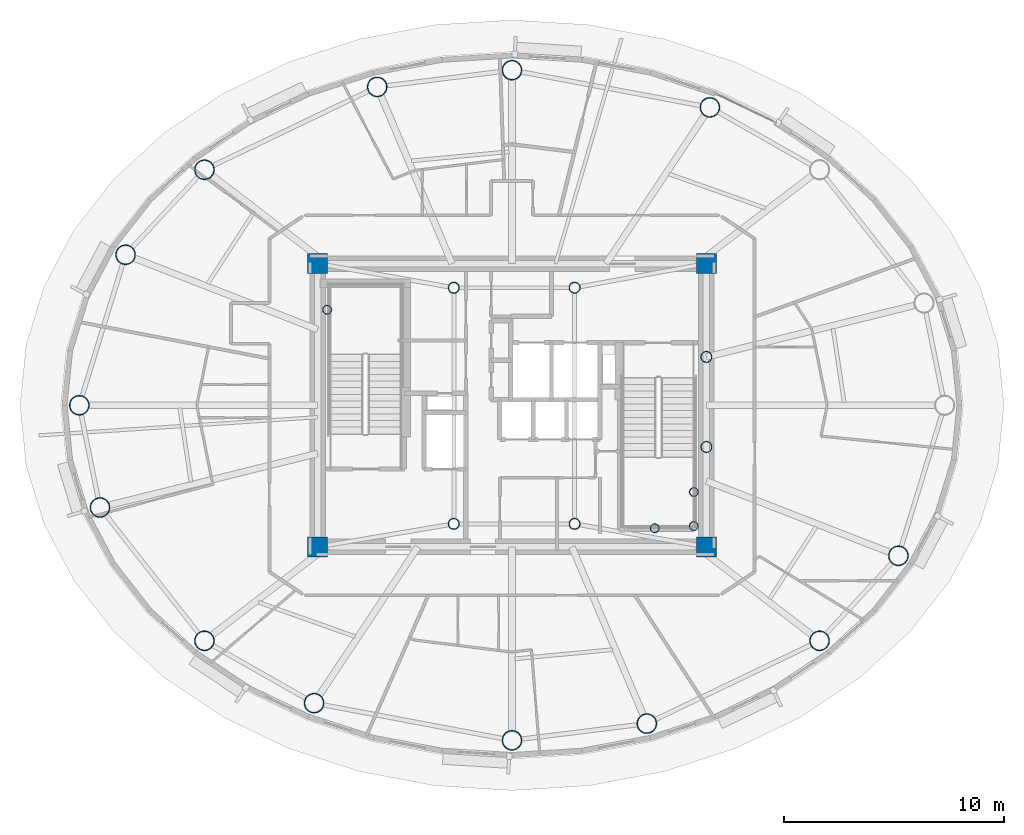
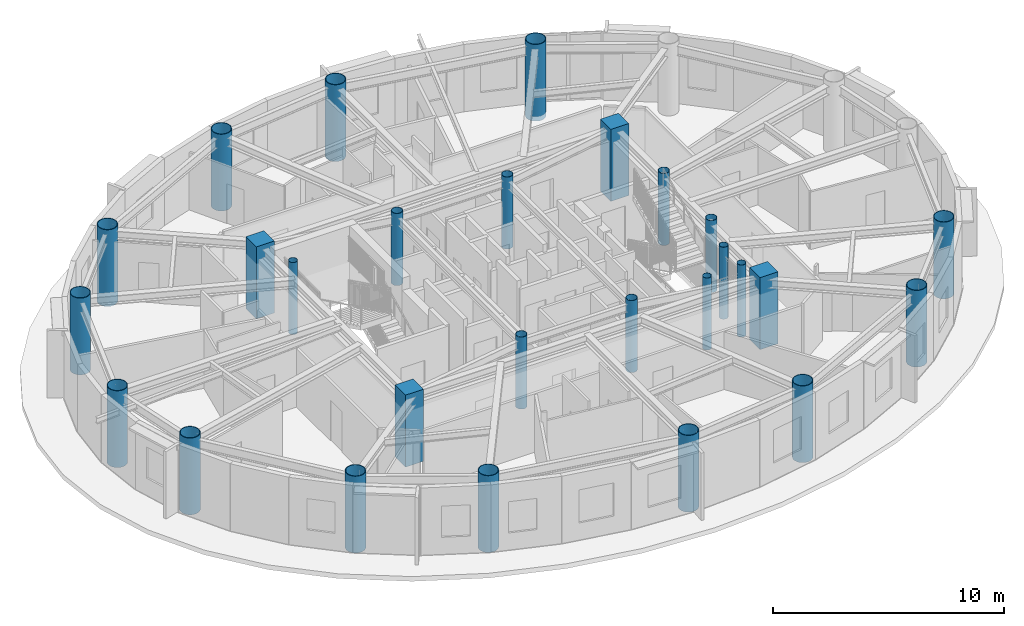
# One storey, part 1 of 17: 27 columns.
"""IFC4 building model written with IfcOpenShell, lengths in metres."""

from ifc_helpers import new_model, si_unit, direction, frame, origin, origin_2d, place, context, subcontext, project, spatial, rectangle, hollow_circle, extrude, material, material_profile, profile_set, type_object, element, save


model = new_model("IFC4")

# Units and contexts
model_context = context("Model", 3, precision=1e-05, world=origin(), true_north=direction((0.0, 1.0)))
body_context = subcontext(model_context, "Body", "Model", "MODEL_VIEW")
ifc_project = project(units=[si_unit("LENGTHUNIT", "METRE"), si_unit("AREAUNIT", "SQUARE_METRE"), si_unit("VOLUMEUNIT", "CUBIC_METRE"), si_unit("PLANEANGLEUNIT", "RADIAN"), si_unit("MASSUNIT", "GRAM", prefix="KILO")], contexts=[model_context])

# Site, building, storey
site_placement = place(None, origin())
site = spatial("IfcSite", under=ifc_project, at=site_placement, CompositionType="ELEMENT")
building_placement = place(site_placement, origin())
building = spatial("IfcBuilding", under=site, at=building_placement, Name="Linh Dai School and Residence Tower", CompositionType="ELEMENT")
storey_placement = place(building_placement, frame((0.0, 0.0, 324.0)))
storey = spatial("IfcBuildingStorey", under=building, at=storey_placement, Name="L80", CompositionType="ELEMENT", Elevation=324.0)

# Columns
ifc_material_1 = material(Name="Concrete B45 (C35/45)", Category="concrete")
ifc_material_profile_1 = material_profile(ifc_material_1, rectangle(XDim=0.89990234375, YDim=0.89990234375, at=origin_2d()), Name="RC 900x900")
ifc_profile_set_1 = profile_set([ifc_material_profile_1], Name="Concrete B45 (C35/45)")
column_type_1 = type_object("IfcColumnType", Name="COL-CC4", PredefinedType="COLUMN", material=ifc_profile_set_1)
for number, where, z_axis, x_axis, name in (
    (1, (27.14990234375, 20.550048828125, 0.0), (0.0, 0.0, 1.0), (1.0, 0.0, 0.0), "L80 Core Corner Pier CC1"),
    (2, (44.85009765625, 20.550048828125, 0.0), (0.0, 0.0, 1.0), (1.0, 0.0, 0.0), "L80 Core Corner Pier CC2"),
    (3, (44.85009765625, 33.449951171875, 0.0), (0.0, 0.0, 1.0), (1.0, 0.0, 0.0), "L80 Core Corner Pier CC3"),
    (4, (27.14990234375, 33.449951171875, 0.0), (0.0, 0.0, 1.0), (1.0, 0.0, 0.0), "L80 Core Corner Pier CC4"),
):
    element("IfcColumn", number, at=place(storey_placement, frame(where, z_axis=z_axis, x_axis=x_axis)), inside=storey, type_object=column_type_1, Name=name, PredefinedType="COLUMN", context=body_context, shape_type="SweptSolid", body=[
        extrude(rectangle(XDim=0.89990234375, YDim=0.89990234375, at=origin_2d()), origin(), (0.0, 0.0, 1.0), 3.800048828125),
    ])
ifc_material_2 = material(Name="Structural Steel S355JR", Category="steel")
ifc_material_profile_2 = material_profile(ifc_material_2, hollow_circle(Radius=0.203125, WallThickness=0.01611328125, at=origin_2d()), Name="CHS 406.4x16")
ifc_profile_set_2 = profile_set([ifc_material_profile_2], Name="Structural Steel S355JR")
column_type_2 = type_object("IfcColumnType", Name="COL-EC", PredefinedType="COLUMN", material=ifc_profile_set_2)
for number, where, z_axis, x_axis, name in (
    (5, (27.580078125, 31.35009765625, 0.0), (0.0, 0.0, 1.0), (1.0, 0.0, 0.0), "L80 Stair Shaft Landing Support Pier ST1NW"),
    (6, (44.280029296875, 21.5, 0.0), (0.0, 0.0, 1.0), (1.0, 0.0, 0.0), "L80 Stair Shaft Landing Support Pier ST2SE"),
    (7, (44.280029296875, 23.050048828125, 0.0), (0.0, 0.0, 1.0), (1.0, 0.0, 0.0), "L80 Stair Shaft Landing Support Pier ST2NE"),
    (8, (42.5, 21.39990234375, 0.0), (0.0, 0.0, 1.0), (1.0, 0.0, 0.0), "L80 Stair Shaft Landing Support Pier ST2MS"),
):
    element("IfcColumn", number, at=place(storey_placement, frame(where, z_axis=z_axis, x_axis=x_axis)), inside=storey, type_object=column_type_2, Name=name, PredefinedType="COLUMN", context=body_context, shape_type="SweptSolid", body=[
        extrude(hollow_circle(Radius=0.203125, WallThickness=0.01611328125, at=origin_2d()), origin(), (0.0, 0.0, 1.0), 3.800048828125),
    ])
ifc_material_profile_3 = material_profile(ifc_material_2, hollow_circle(Radius=0.449951171875, WallThickness=0.028076171875, at=origin_2d()), Name="CHS 900x28")
ifc_profile_set_3 = profile_set([ifc_material_profile_3], Name="Structural Steel S355JR")
column_type_3 = type_object("IfcColumnType", Name="COL-MC7", PredefinedType="COLUMN", material=ifc_profile_set_3)
for number, where, z_axis, x_axis, name in (
    (9, (45.01025390625, 40.56201171875, -0.25), (0.0, 0.0, 1.0), (1.0, 0.0, 0.0), "L80 Perimeter CFT Mega-Column MC04"),
    (10, (36.0, 42.2548828125, -0.25), (0.0, 0.0, 1.0), (1.0, 0.0, 0.0), "L80 Perimeter CFT Mega-Column MC05"),
    (11, (29.862548828125, 41.493896484375, -0.25), (0.0, 0.0, 1.0), (1.0, 0.0, 0.0), "L80 Perimeter CFT Mega-Column MC06"),
    (12, (21.99755859375, 37.72265625, -0.25), (0.0, 0.0, 1.0), (1.0, 0.0, 0.0), "L80 Perimeter CFT Mega-Column MC07"),
    (13, (18.405029296875, 33.8525390625, -0.25), (0.0, 0.0, 1.0), (1.0, 0.0, 0.0), "L80 Perimeter CFT Mega-Column MC08"),
    (14, (16.300048828125, 27.0, -0.25), (0.0, 0.0, 1.0), (1.0, 0.0, 0.0), "L80 Perimeter CFT Mega-Column MC09"),
    (15, (17.2421875, 22.34521484375, -0.25), (0.0, 0.0, 1.0), (1.0, 0.0, 0.0), "L80 Perimeter CFT Mega-Column MC10"),
    (16, (21.99755859375, 16.27734375, -0.25), (0.0, 0.0, 1.0), (1.0, 0.0, 0.0), "L80 Perimeter CFT Mega-Column MC11"),
    (17, (26.98974609375, 13.43798828125, -0.25), (0.0, 0.0, 1.0), (1.0, 0.0, 0.0), "L80 Perimeter CFT Mega-Column MC12"),
    (18, (36.0, 11.7451171875, -0.25), (0.0, 0.0, 1.0), (1.0, 0.0, 0.0), "L80 Perimeter CFT Mega-Column MC13"),
    (19, (42.137451171875, 12.506103515625, -0.25), (0.0, 0.0, 1.0), (1.0, 0.0, 0.0), "L80 Perimeter CFT Mega-Column MC14"),
    (20, (50.00244140625, 16.27734375, -0.25), (0.0, 0.0, 1.0), (1.0, 0.0, 0.0), "L80 Perimeter CFT Mega-Column MC15"),
    (21, (53.594970703125, 20.1474609375, -0.25), (0.0, 0.0, 1.0), (1.0, 0.0, 0.0), "L80 Perimeter CFT Mega-Column MC16"),
):
    element("IfcColumn", number, at=place(storey_placement, frame(where, z_axis=z_axis, x_axis=x_axis)), inside=storey, type_object=column_type_3, Name=name, PredefinedType="COLUMN", context=body_context, shape_type="SweptSolid", body=[
        extrude(hollow_circle(Radius=0.449951171875, WallThickness=0.028076171875, at=origin_2d()), origin(), (0.0, 0.0, 1.0), 4.050048828125),
    ])
ifc_material_profile_4 = material_profile(ifc_material_2, hollow_circle(Radius=0.25390625, WallThickness=0.02001953125, at=origin_2d()), Name="CHS 508x20")
ifc_profile_set_4 = profile_set([ifc_material_profile_4], Name="Structural Steel S355JR")
column_type_4 = type_object("IfcColumnType", Name="COL-MCP", PredefinedType="COLUMN", material=ifc_profile_set_4)
for number, where, z_axis, x_axis, name in (
    (22, (33.35009765625, 21.60009765625, 0.0), (0.0, 0.0, 1.0), (1.0, 0.0, 0.0), "L80 Core Mast Support Pier MCP1"),
    (23, (38.85009765625, 21.60009765625, 0.0), (0.0, 0.0, 1.0), (1.0, 0.0, 0.0), "L80 Core Mast Support Pier MCP2"),
    (24, (38.85009765625, 32.35009765625, 0.0), (0.0, 0.0, 1.0), (1.0, 0.0, 0.0), "L80 Core Mast Support Pier MCP3"),
    (25, (33.35009765625, 32.35009765625, 0.0), (0.0, 0.0, 1.0), (1.0, 0.0, 0.0), "L80 Core Mast Support Pier MCP4"),
    (26, (44.85009765625, 25.10009765625, 0.0), (0.0, 0.0, 1.0), (1.0, 0.0, 0.0), "L80 Sky-Lounge Core Anchor Pier S"),
    (27, (44.85009765625, 29.199951171875, 0.0), (0.0, 0.0, 1.0), (1.0, 0.0, 0.0), "L80 Sky-Lounge Core Anchor Pier N"),
):
    element("IfcColumn", number, at=place(storey_placement, frame(where, z_axis=z_axis, x_axis=x_axis)), inside=storey, type_object=column_type_4, Name=name, PredefinedType="COLUMN", context=body_context, shape_type="SweptSolid", body=[
        extrude(hollow_circle(Radius=0.25390625, WallThickness=0.02001953125, at=origin_2d()), origin(), (0.0, 0.0, 1.0), 3.800048828125),
    ])

save(model, "model.ifc")
